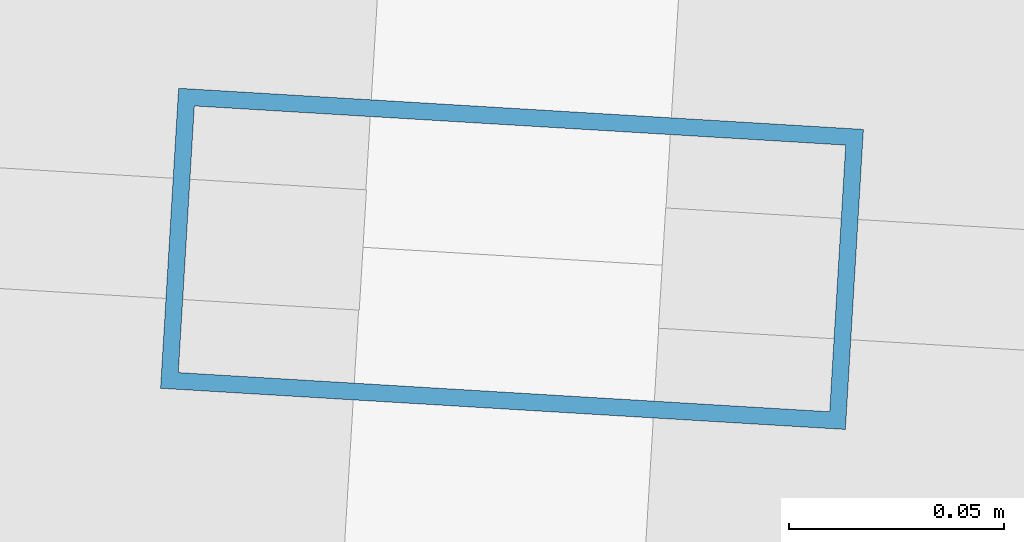
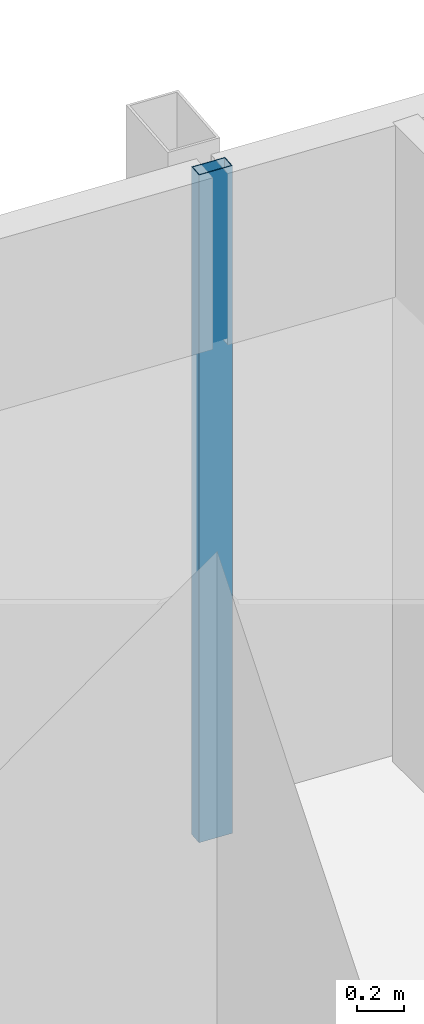
# One storey, part 17 of 36: 1 member, 1 element without a shape of its own.
"""IFC4 building model written with IfcOpenShell, lengths in metres."""

import ifcopenshell
import ifcopenshell.guid

model = None  # the IFC model being written
_history = None  # IfcOwnerHistory: only IFC2X3 demands one
_inside = {}  # id of a spatial element -> (the spatial element, [elements in it])
_under = {}  # id of a project, library or spatial element -> (it, [spatial elements below it])
_declared = {}  # id of a project -> (the project, [libraries it declares])
_typed = {}  # id of a type object -> (the type object, [elements of that type])
_made_of = {}  # id of a material, layer set ... -> (it, [elements and type objects made of it])


def new_model(schema):
    """Start an empty IFC model of exactly this schema.

    Asked for "IFC4X3", IfcOpenShell would pick the latest addendum, in which some entities
    have other attributes; the version numbers below select the first issue.
    IFC2X3 requires an IfcOwnerHistory on every rooted entity: one is made here for all.
    """
    global model, _history
    if schema == "IFC4X3":
        model = ifcopenshell.file(schema_version=(4, 3, 0, 0))
    else:
        model = ifcopenshell.file(schema=schema)
    _inside.clear()
    _under.clear()
    _declared.clear()
    _typed.clear()
    _made_of.clear()
    _history = None
    if model.schema == "IFC2X3":
        org = make("IfcOrganization", Name="unknown")
        user = make(
            "IfcPersonAndOrganization",
            ThePerson=make("IfcPerson", FamilyName="unknown"),
            TheOrganization=org,
        )
        app = make(
            "IfcApplication",
            ApplicationDeveloper=org,
            Version="unknown",
            ApplicationFullName="unknown",
            ApplicationIdentifier="unknown",
        )
        _history = make(
            "IfcOwnerHistory",
            OwningUser=user,
            OwningApplication=app,
            ChangeAction="ADDED",
            CreationDate=0,
        )
    return model


def make(cls, **values):
    """One entity of the class cls with the attributes given. An attribute that is None is left unset."""
    return model.create_entity(
        cls, **{name: value for name, value in values.items() if value is not None}
    )


def rooted(cls, **values):
    """An entity with a GlobalId (a new one), such as an element, a storey or a relation."""
    return make(cls, GlobalId=ifcopenshell.guid.new(), OwnerHistory=_history, **values)


def si_unit(unit_type, name, prefix=None):
    """IfcSIUnit, for example si_unit("LENGTHUNIT", "METRE", prefix="MILLI")."""
    return make("IfcSIUnit", UnitType=unit_type, Prefix=prefix, Name=name)


def assignment(units):
    """IfcUnitAssignment: the units of a project."""
    return None if units is None else make("IfcUnitAssignment", Units=units)


def point(xyz):
    """IfcCartesianPoint."""
    return None if xyz is None else make("IfcCartesianPoint", Coordinates=xyz)


def direction(xyz):
    """IfcDirection."""
    return None if xyz is None else make("IfcDirection", DirectionRatios=xyz)


def frame(location, z_axis=None, x_axis=None):
    """IfcAxis2Placement3D, a coordinate frame: its origin and axes. An axis left out is left unset."""
    return make(
        "IfcAxis2Placement3D",
        Location=point(location),
        Axis=direction(z_axis),
        RefDirection=direction(x_axis),
    )


def frame_2d(location, x_axis=None):
    """IfcAxis2Placement2D, a coordinate frame in the plane: its origin and x axis."""
    return make(
        "IfcAxis2Placement2D", Location=point(location), RefDirection=direction(x_axis)
    )


def origin():
    """The frame at (0, 0, 0) with its axes left unset."""
    return frame((0.0, 0.0, 0.0))


def origin_2d():
    """The frame at (0, 0) in the plane with its x axis left unset."""
    return frame_2d((0.0, 0.0))


def place(relative_to, where):
    """IfcLocalPlacement: puts the frame where relative to a parent placement (None: the world)."""
    return make(
        "IfcLocalPlacement", PlacementRelTo=relative_to, RelativePlacement=where
    )


def context(
    kind, dimensions, precision=None, world=None, true_north=None, identifier=None
):
    """IfcGeometricRepresentationContext, for example the 3D "Model" context."""
    return make(
        "IfcGeometricRepresentationContext",
        ContextIdentifier=identifier,
        ContextType=kind,
        CoordinateSpaceDimension=dimensions,
        Precision=precision,
        WorldCoordinateSystem=world,
        TrueNorth=true_north,
    )


def subcontext(parent, identifier, kind, view, scale=None):
    """IfcGeometricRepresentationSubContext, for example "Body" below "Model"."""
    return make(
        "IfcGeometricRepresentationSubContext",
        ContextIdentifier=identifier,
        ContextType=kind,
        ParentContext=parent,
        TargetScale=scale,
        TargetView=view,
    )


def project(units=None, contexts=None):
    """IfcProject with its units and contexts."""
    return rooted(
        "IfcProject",
        Name="project",
        RepresentationContexts=contexts,
        UnitsInContext=assignment(units),
    )


def spatial(cls, under=None, at=None, **own):
    """A site, building, storey or space (cls), placed at a placement, below another one or the project."""
    s = rooted(cls, ObjectPlacement=at, **own)
    if under is not None:
        _under.setdefault(under.id(), (under, []))[1].append(s)
    return s


def profile(cls, at=None, kind="AREA", **sizes):
    """A parametric profile (cls). Its sizes go by their IFC names, for example OverallWidth=200.0."""
    return make(cls, ProfileType=kind, Position=at, **sizes)


def hollow_rectangle(**sizes):
    """IfcRectangleHollowProfileDef."""
    return profile("IfcRectangleHollowProfileDef", **sizes)


def extrude(swept, where, along, depth):
    """IfcExtrudedAreaSolid: the profile swept, set in the frame where, extruded along a direction by depth."""
    return make(
        "IfcExtrudedAreaSolid",
        SweptArea=swept,
        Position=where,
        ExtrudedDirection=direction(along),
        Depth=depth,
    )


def shape(context_of_items, identifier, shape_type, items):
    """IfcShapeRepresentation: the items that make up one representation, for example the "Body"."""
    return make(
        "IfcShapeRepresentation",
        ContextOfItems=context_of_items,
        RepresentationIdentifier=identifier,
        RepresentationType=shape_type,
        Items=items,
    )


def material(Name=None, Category=None):
    """IfcMaterial."""
    return make("IfcMaterial", Name=Name, Category=Category)


def material_profile(
    of_material, cross_section, Name=None, Category=None, Priority=None
):
    """IfcMaterialProfile: a cross section and its material."""
    return make(
        "IfcMaterialProfile",
        Name=Name,
        Material=of_material,
        Profile=cross_section,
        Priority=Priority,
        Category=Category,
    )


def profile_set(profiles, Name=None, composite=None):
    """IfcMaterialProfileSet."""
    return make(
        "IfcMaterialProfileSet",
        Name=Name,
        MaterialProfiles=profiles,
        CompositeProfile=composite,
    )


def made_of(thing, what):
    """Note that an element or type object is made of a material, layer set ...; save() writes the relation."""
    if what is not None:
        _made_of.setdefault(what.id(), (what, []))[1].append(thing)
    return thing


def type_object(cls, material=None, **own):
    """A type object (cls), such as IfcWallType, which elements share."""
    return made_of(rooted(cls, **own), material)


def element(
    cls,
    number,
    at=None,
    inside=None,
    cuts=None,
    type_object=None,
    material=None,
    context=None,
    identifier="Body",
    shape_type=None,
    held_by="IfcProductDefinitionShape",
    body=None,
    shapes=None,
    **own,
):
    """One element of the class cls, such as IfcWall. Its Tag is "e" and its number.

    at: its placement. inside: the storey or other place that contains it. cuts: it is an
    opening in that element (IfcRelVoidsElement). A single representation is given by context,
    identifier, shape_type and body (its items); several are given by shapes. held_by: the class
    of the entity that holds the representations. save() writes the other relations.
    """
    e = rooted(cls, Tag="e%d" % number, ObjectPlacement=at, **own)
    if body is not None:
        shapes = [shape(context, identifier, shape_type, body)]
    if shapes is not None:
        e.Representation = make(held_by, Representations=shapes)
    if inside is not None:
        _inside.setdefault(inside.id(), (inside, []))[1].append(e)
    if cuts is not None:
        rooted(
            "IfcRelVoidsElement", RelatingBuildingElement=cuts, RelatedOpeningElement=e
        )
    if type_object is not None:
        _typed.setdefault(type_object.id(), (type_object, []))[1].append(e)
    return made_of(e, material)


def aggregate(whole, parts):
    """IfcRelAggregates: a whole, such as a stair, and the parts it consists of."""
    return rooted("IfcRelAggregates", RelatingObject=whole, RelatedObjects=parts)


def save(model, path):
    """Write the relations noted so far, then the file.

    IfcRelAggregates (storeys below a building ...), IfcRelContainedInSpatialStructure (elements
    in a storey), IfcRelDefinesByType, IfcRelAssociatesMaterial and IfcRelDeclares: one each for
    every whole, place, type object, material and project.
    """
    for whole, parts in _under.values():
        aggregate(whole, parts)
    for where, things in _inside.values():
        rooted(
            "IfcRelContainedInSpatialStructure",
            RelatedElements=things,
            RelatingStructure=where,
        )
    for kind, things in _typed.values():
        rooted("IfcRelDefinesByType", RelatedObjects=things, RelatingType=kind)
    for what, things in _made_of.values():
        rooted("IfcRelAssociatesMaterial", RelatedObjects=things, RelatingMaterial=what)
    for by, libraries in _declared.values():
        rooted("IfcRelDeclares", RelatingContext=by, RelatedDefinitions=libraries)
    model.write(path)


model = new_model("IFC4")

# Units and contexts
model_context = context("Model", 3, precision=1e-05, world=origin(), true_north=direction((0.0, 1.0)))
body_context = subcontext(model_context, "Body", "Model", "MODEL_VIEW")
ifc_project = project(units=[si_unit("LENGTHUNIT", "METRE"), si_unit("AREAUNIT", "SQUARE_METRE"), si_unit("VOLUMEUNIT", "CUBIC_METRE"), si_unit("PLANEANGLEUNIT", "RADIAN"), si_unit("MASSUNIT", "GRAM", prefix="KILO")], contexts=[model_context])

# Site, building, storey
site_placement = place(None, origin())
site = spatial("IfcSite", under=ifc_project, at=site_placement, CompositionType="ELEMENT")
building_placement = place(site_placement, origin())
building = spatial("IfcBuilding", under=site, at=building_placement, Name="Rekha Terrace Tower", CompositionType="ELEMENT")
storey_placement = place(building_placement, frame((0.0, 0.0, 144.050048828125)))
storey = spatial("IfcBuildingStorey", under=building, at=storey_placement, Name="L36", CompositionType="ELEMENT", Elevation=144.050048828125)

# Curtain wall, member
ifc_material_1 = material(Name="Aluminium framing", Category="aluminium")
curtain_wall_type = type_object("IfcCurtainWallType", Name="CW3 north unitised glazing", PredefinedType="USERDEFINED", material=ifc_material_1)
curtain_wall_placement = place(storey_placement, origin())
curtain_wall = element("IfcCurtainWall", 1, at=curtain_wall_placement, inside=storey, type_object=curtain_wall_type, Name="CW3 unitised curtain wall", ObjectType="UNITISED CURTAIN WALL", PredefinedType="USERDEFINED")
ifc_material_2 = material(Name="Aluminium mullion section", Category="aluminium")
ifc_material_profile = material_profile(ifc_material_2, hollow_rectangle(XDim=0.070068359375, YDim=0.159912109375, WallThickness=0.00390625, at=origin_2d()), Name="AL RHS 70x160")
ifc_profile_set = profile_set([ifc_material_profile], Name="Aluminium mullion section")
member_type = type_object("IfcMemberType", Name="CW3 mullion RHS 70 x 160", PredefinedType="MULLION", material=ifc_profile_set)
member_placement = place(storey_placement, frame((52.299560546875, 61.4033203125, 0.0), z_axis=(0.0, 0.0, 1.0), x_axis=(-0.059987926837, -0.998199102701, 0.0)))
member = element("IfcMember", 2, at=member_placement, type_object=member_type, Name="CW3 mullion 3", PredefinedType="MULLION", context=body_context, shape_type="SweptSolid", body=[
    extrude(hollow_rectangle(XDim=0.070068359375, YDim=0.159912109375, WallThickness=0.00390625, at=origin_2d()), origin(), (0.0, 0.0, 1.0), 3.5),
])
aggregate(curtain_wall, [member])

save(model, "model.ifc")
